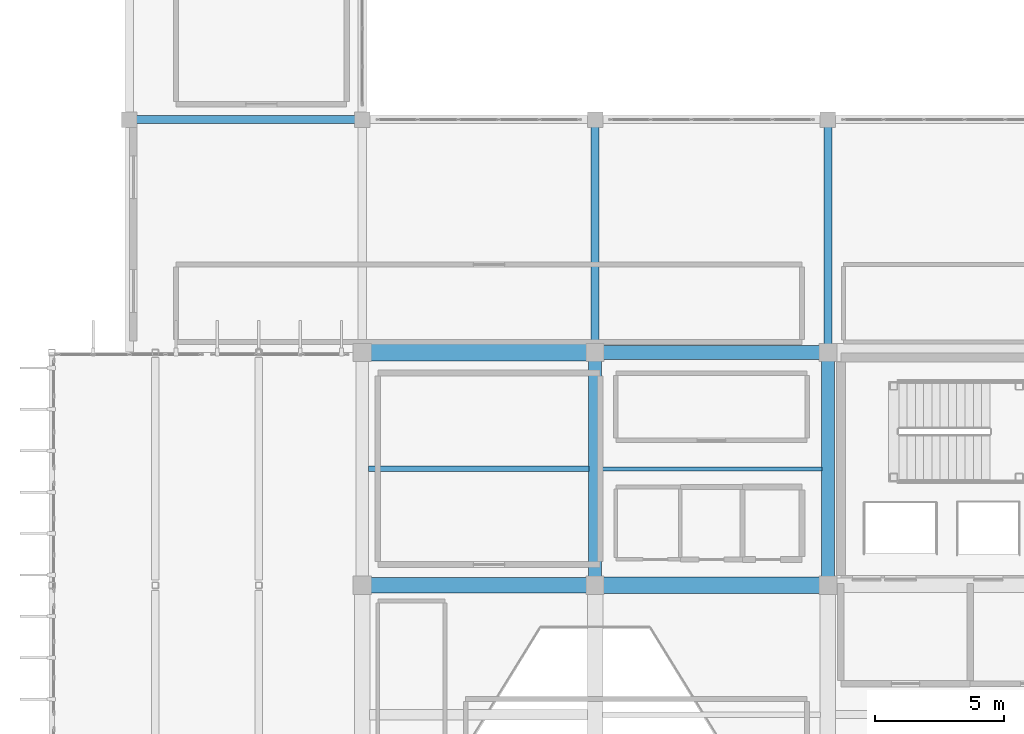
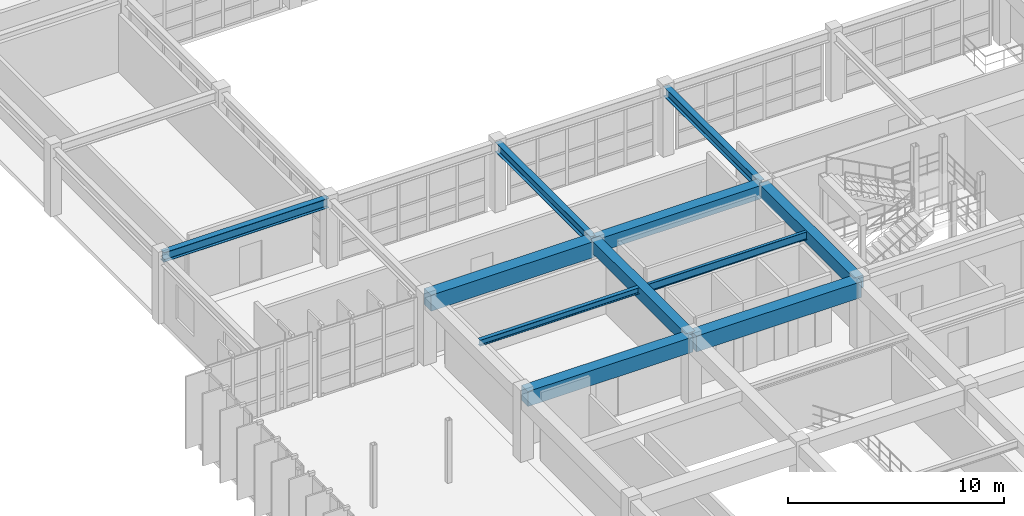
# One storey, part 50 of 110: 11 beams.
"""IFC4 building model written with IfcOpenShell, lengths in metres."""

from ifc_helpers import new_model, si_unit, direction, frame, origin, origin_2d, place, context, subcontext, project, spatial, rectangle, i_section, extrude, material, material_profile, profile_set, type_object, element, save


model = new_model("IFC4")

# Units and contexts
model_context = context("Model", 3, precision=1e-05, world=origin(), true_north=direction((0.0, 1.0)))
body_context = subcontext(model_context, "Body", "Model", "MODEL_VIEW")
ifc_project = project(units=[si_unit("LENGTHUNIT", "METRE"), si_unit("AREAUNIT", "SQUARE_METRE"), si_unit("VOLUMEUNIT", "CUBIC_METRE"), si_unit("PLANEANGLEUNIT", "RADIAN"), si_unit("MASSUNIT", "GRAM", prefix="KILO")], contexts=[model_context])

# Site, building, storey
site_placement = place(None, origin())
site = spatial("IfcSite", under=ifc_project, at=site_placement, CompositionType="ELEMENT")
building_placement = place(site_placement, origin())
building = spatial("IfcBuilding", under=site, at=building_placement, Name="Miravela Opera House", CompositionType="ELEMENT")
storey_placement = place(building_placement, frame((0.0, 0.0, 13.60009765625)))
storey = spatial("IfcBuildingStorey", under=building, at=storey_placement, Name="L03", CompositionType="ELEMENT", Elevation=13.60009765625)

# Beams
ifc_material_1 = material(Name="Concrete C35/45", Category="concrete")
ifc_material_profile_1 = material_profile(ifc_material_1, rectangle(XDim=0.5, YDim=0.699951171875, at=origin_2d()), Name="RC-BM-500X700")
ifc_profile_set_1 = profile_set([ifc_material_profile_1])
beam_type_1 = type_object("IfcBeamType", Name="STR-BM-RC500X700", PredefinedType="BEAM", material=ifc_profile_set_1)
for number, where, z_axis, x_axis, name in (
    (1, (36.0, 66.080078125, 3.489990234375), (0.0, 1.0, 0.0), (-1.0, 0.0, 0.0), "Floor Girder L03 5/H-I"),
    (2, (45.0, 66.080078125, 3.489990234375), (0.0, 1.0, 0.0), (-1.0, 0.0, 0.0), "Floor Girder L03 6/H-I"),
):
    element("IfcBeam", number, at=place(storey_placement, frame(where, z_axis=z_axis, x_axis=x_axis)), inside=storey, type_object=beam_type_1, Name=name, PredefinedType="BEAM", context=body_context, shape_type="SweptSolid", body=[
        extrude(rectangle(XDim=0.5, YDim=0.699951171875, at=origin_2d()), origin(), (0.0, 0.0, 1.0), 8.83984375),
    ])
ifc_material_profile_2 = material_profile(ifc_material_1, rectangle(XDim=0.550048828125, YDim=0.75, at=origin_2d()), Name="RC-BM-550X750")
ifc_profile_set_2 = profile_set([ifc_material_profile_2])
beam_type_2 = type_object("IfcBeamType", Name="STR-BM-RC550X750", PredefinedType="BEAM", material=ifc_profile_set_2)
beam_1_placement = place(storey_placement, frame((36.080078125, 75.0, 3.46484375), z_axis=(1.0, 0.0, 0.0), x_axis=(0.0, 1.0, 0.0)))
element("IfcBeam", 3, at=beam_1_placement, inside=storey, type_object=beam_type_2, Name="Floor Girder L03 5-6/I", PredefinedType="BEAM", context=body_context, shape_type="SweptSolid", body=[
    extrude(rectangle(XDim=0.550048828125, YDim=0.75, at=origin_2d()), origin(), (0.0, 0.0, 1.0), 8.83984375),
])
ifc_material_2 = material(Name="Concrete C40/50", Category="concrete")
ifc_material_profile_3 = material_profile(ifc_material_2, rectangle(XDim=0.60009765625, YDim=0.85009765625, at=origin_2d()), Name="RC-BM-600X850")
ifc_profile_set_3 = profile_set([ifc_material_profile_3])
beam_type_3 = type_object("IfcBeamType", Name="STR-BM-RC600X850", PredefinedType="BEAM", material=ifc_profile_set_3)
beam_2_placement = place(storey_placement, frame((27.080078125, 66.0, 3.414794921875), z_axis=(1.0, 0.0, 0.0), x_axis=(0.0, 1.0, 0.0)))
element("IfcBeam", 4, at=beam_2_placement, inside=storey, type_object=beam_type_3, Name="Floor Girder L03 4-5/H", PredefinedType="BEAM", context=body_context, shape_type="SweptSolid", body=[
    extrude(rectangle(XDim=0.60009765625, YDim=0.85009765625, at=origin_2d()), origin(), (0.0, 0.0, 1.0), 8.83984375),
])
ifc_material_profile_4 = material_profile(ifc_material_2, rectangle(XDim=0.64990234375, YDim=0.89990234375, at=origin_2d()), Name="RC-BM-650X900")
ifc_profile_set_4 = profile_set([ifc_material_profile_4])
beam_type_4 = type_object("IfcBeamType", Name="STR-BM-RC650X900", PredefinedType="BEAM", material=ifc_profile_set_4)
for number, where, z_axis, x_axis, name in (
    (5, (27.080078125, 75.0, 3.389892578125), (1.0, 0.0, 0.0), (0.0, 1.0, 0.0), "Floor Girder L03 4-5/I"),
    (6, (36.080078125, 66.0, 3.389892578125), (1.0, 0.0, 0.0), (0.0, 1.0, 0.0), "Floor Girder L03 5-6/H"),
):
    element("IfcBeam", number, at=place(storey_placement, frame(where, z_axis=z_axis, x_axis=x_axis)), inside=storey, type_object=beam_type_4, Name=name, PredefinedType="BEAM", context=body_context, shape_type="SweptSolid", body=[
        extrude(rectangle(XDim=0.64990234375, YDim=0.89990234375, at=origin_2d()), origin(), (0.0, 0.0, 1.0), 8.83984375),
    ])
ifc_material_3 = material(Name="Structural steel ASTM A992 Gr. 50", Category="steel")
ifc_material_profile_5 = material_profile(ifc_material_3, i_section(OverallWidth=0.2041015625, OverallDepth=0.35009765625, WebThickness=0.008544921875, FlangeThickness=0.01513671875, FilletRadius=0.013916015625, at=origin_2d()), Name="W360X72")
ifc_profile_set_5 = profile_set([ifc_material_profile_5])
beam_type_5 = type_object("IfcBeamType", Name="STR-BM-W360X72", PredefinedType="JOIST", material=ifc_profile_set_5)
beam_3_placement = place(storey_placement, frame((27.235107421875, 70.5, 3.664794921875), z_axis=(1.0, 0.0, 0.0), x_axis=(0.0, 1.0, 0.0)))
element("IfcBeam", 7, at=beam_3_placement, inside=storey, type_object=beam_type_5, Name="Secondary Floor Joist L03 4-5/H-I", PredefinedType="JOIST", context=body_context, shape_type="SweptSolid", body=[
    extrude(i_section(OverallWidth=0.2041015625, OverallDepth=0.35009765625, WebThickness=0.008544921875, FlangeThickness=0.01513671875, FilletRadius=0.013916015625, at=origin_2d()), origin(), (0.0, 0.0, 1.0), 8.52978515625),
])
ifc_material_profile_6 = material_profile(ifc_material_3, i_section(OverallWidth=0.154052734375, OverallDepth=0.458984375, WebThickness=0.009033203125, FlangeThickness=0.015380859375, FilletRadius=0.013916015625, at=origin_2d()), Name="W460X68")
ifc_profile_set_6 = profile_set([ifc_material_profile_6])
beam_type_6 = type_object("IfcBeamType", Name="STR-BM-W460X68", PredefinedType="JOIST", material=ifc_profile_set_6)
beam_4_placement = place(storey_placement, frame((36.235107421875, 70.5, 3.6103515625), z_axis=(1.0, 0.0, 0.0), x_axis=(0.0, 1.0, 0.0)))
element("IfcBeam", 8, at=beam_4_placement, inside=storey, type_object=beam_type_6, Name="Secondary Floor Joist L03 5-6/H-I", PredefinedType="JOIST", context=body_context, shape_type="SweptSolid", body=[
    extrude(i_section(OverallWidth=0.154052734375, OverallDepth=0.458984375, WebThickness=0.009033203125, FlangeThickness=0.015380859375, FilletRadius=0.013916015625, at=origin_2d()), origin(), (0.0, 0.0, 1.0), 8.52978515625),
])
ifc_material_profile_7 = material_profile(ifc_material_3, i_section(OverallWidth=0.31201171875, OverallDepth=0.54296875, WebThickness=0.0126953125, FlangeThickness=0.020263671875, FilletRadius=0.01611328125, at=origin_2d()), Name="W530X150")
ifc_profile_set_7 = profile_set([ifc_material_profile_7])
beam_type_7 = type_object("IfcBeamType", Name="STR-BM-W530X150", PredefinedType="BEAM", material=ifc_profile_set_7)
for number, where, z_axis, x_axis, name in (
    (9, (18.080078125, 84.0, 3.568359375), (1.0, 0.0, 0.0), (0.0, 1.0, 0.0), "Roof Eave Girder ROOF-V3-WEST-S N1"),
    (10, (36.0, 75.080078125, 3.568359375), (0.0, 1.0, 0.0), (-1.0, 0.0, 0.0), "Roof King-Post Transverse Tie Girder ROOF-V3-WEST-S T2.1"),
    (11, (45.0, 75.080078125, 3.568359375), (0.0, 1.0, 0.0), (-1.0, 0.0, 0.0), "Roof King-Post Transverse Tie Girder ROOF-V3-WEST-S T3.1"),
):
    element("IfcBeam", number, at=place(storey_placement, frame(where, z_axis=z_axis, x_axis=x_axis)), inside=storey, type_object=beam_type_7, Name=name, PredefinedType="BEAM", context=body_context, shape_type="SweptSolid", body=[
        extrude(i_section(OverallWidth=0.31201171875, OverallDepth=0.54296875, WebThickness=0.0126953125, FlangeThickness=0.020263671875, FilletRadius=0.01611328125, at=origin_2d()), origin(), (0.0, 0.0, 1.0), 8.83984375),
    ])

save(model, "model.ifc")
